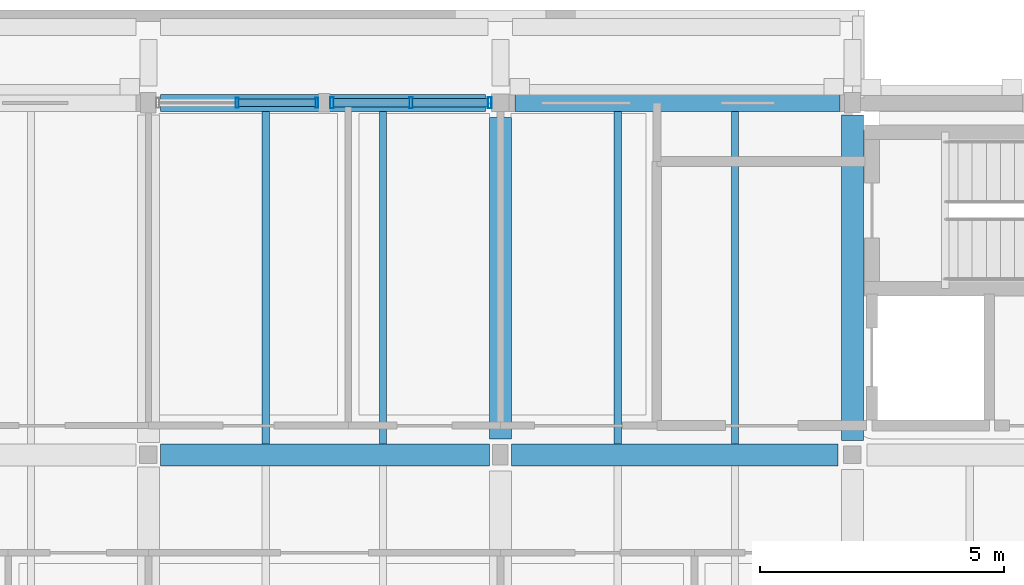
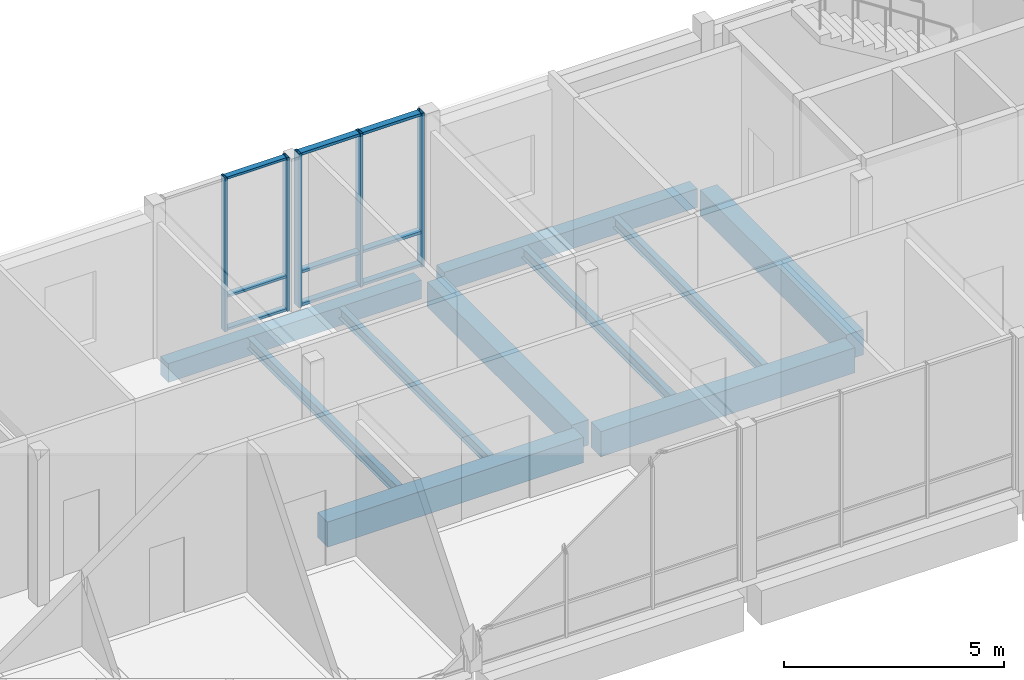
# One storey, part 53 of 146: 14 members, 10 beams, 2 elements without a shape of their own.
"""IFC4 building model written with IfcOpenShell, lengths in metres."""

import ifcopenshell
import ifcopenshell.guid

model = None  # the IFC model being written
_history = None  # IfcOwnerHistory: only IFC2X3 demands one
_inside = {}  # id of a spatial element -> (the spatial element, [elements in it])
_under = {}  # id of a project, library or spatial element -> (it, [spatial elements below it])
_declared = {}  # id of a project -> (the project, [libraries it declares])
_typed = {}  # id of a type object -> (the type object, [elements of that type])
_made_of = {}  # id of a material, layer set ... -> (it, [elements and type objects made of it])


def new_model(schema):
    """Start an empty IFC model of exactly this schema.

    Asked for "IFC4X3", IfcOpenShell would pick the latest addendum, in which some entities
    have other attributes; the version numbers below select the first issue.
    IFC2X3 requires an IfcOwnerHistory on every rooted entity: one is made here for all.
    """
    global model, _history
    if schema == "IFC4X3":
        model = ifcopenshell.file(schema_version=(4, 3, 0, 0))
    else:
        model = ifcopenshell.file(schema=schema)
    _inside.clear()
    _under.clear()
    _declared.clear()
    _typed.clear()
    _made_of.clear()
    _history = None
    if model.schema == "IFC2X3":
        org = make("IfcOrganization", Name="unknown")
        user = make(
            "IfcPersonAndOrganization",
            ThePerson=make("IfcPerson", FamilyName="unknown"),
            TheOrganization=org,
        )
        app = make(
            "IfcApplication",
            ApplicationDeveloper=org,
            Version="unknown",
            ApplicationFullName="unknown",
            ApplicationIdentifier="unknown",
        )
        _history = make(
            "IfcOwnerHistory",
            OwningUser=user,
            OwningApplication=app,
            ChangeAction="ADDED",
            CreationDate=0,
        )
    return model


def make(cls, **values):
    """One entity of the class cls with the attributes given. An attribute that is None is left unset."""
    return model.create_entity(
        cls, **{name: value for name, value in values.items() if value is not None}
    )


def rooted(cls, **values):
    """An entity with a GlobalId (a new one), such as an element, a storey or a relation."""
    return make(cls, GlobalId=ifcopenshell.guid.new(), OwnerHistory=_history, **values)


def si_unit(unit_type, name, prefix=None):
    """IfcSIUnit, for example si_unit("LENGTHUNIT", "METRE", prefix="MILLI")."""
    return make("IfcSIUnit", UnitType=unit_type, Prefix=prefix, Name=name)


def assignment(units):
    """IfcUnitAssignment: the units of a project."""
    return None if units is None else make("IfcUnitAssignment", Units=units)


def point(xyz):
    """IfcCartesianPoint."""
    return None if xyz is None else make("IfcCartesianPoint", Coordinates=xyz)


def direction(xyz):
    """IfcDirection."""
    return None if xyz is None else make("IfcDirection", DirectionRatios=xyz)


def frame(location, z_axis=None, x_axis=None):
    """IfcAxis2Placement3D, a coordinate frame: its origin and axes. An axis left out is left unset."""
    return make(
        "IfcAxis2Placement3D",
        Location=point(location),
        Axis=direction(z_axis),
        RefDirection=direction(x_axis),
    )


def frame_2d(location, x_axis=None):
    """IfcAxis2Placement2D, a coordinate frame in the plane: its origin and x axis."""
    return make(
        "IfcAxis2Placement2D", Location=point(location), RefDirection=direction(x_axis)
    )


def origin():
    """The frame at (0, 0, 0) with its axes left unset."""
    return frame((0.0, 0.0, 0.0))


def origin_2d():
    """The frame at (0, 0) in the plane with its x axis left unset."""
    return frame_2d((0.0, 0.0))


def place(relative_to, where):
    """IfcLocalPlacement: puts the frame where relative to a parent placement (None: the world)."""
    return make(
        "IfcLocalPlacement", PlacementRelTo=relative_to, RelativePlacement=where
    )


def context(
    kind, dimensions, precision=None, world=None, true_north=None, identifier=None
):
    """IfcGeometricRepresentationContext, for example the 3D "Model" context."""
    return make(
        "IfcGeometricRepresentationContext",
        ContextIdentifier=identifier,
        ContextType=kind,
        CoordinateSpaceDimension=dimensions,
        Precision=precision,
        WorldCoordinateSystem=world,
        TrueNorth=true_north,
    )


def subcontext(parent, identifier, kind, view, scale=None):
    """IfcGeometricRepresentationSubContext, for example "Body" below "Model"."""
    return make(
        "IfcGeometricRepresentationSubContext",
        ContextIdentifier=identifier,
        ContextType=kind,
        ParentContext=parent,
        TargetScale=scale,
        TargetView=view,
    )


def project(units=None, contexts=None):
    """IfcProject with its units and contexts."""
    return rooted(
        "IfcProject",
        Name="project",
        RepresentationContexts=contexts,
        UnitsInContext=assignment(units),
    )


def spatial(cls, under=None, at=None, **own):
    """A site, building, storey or space (cls), placed at a placement, below another one or the project."""
    s = rooted(cls, ObjectPlacement=at, **own)
    if under is not None:
        _under.setdefault(under.id(), (under, []))[1].append(s)
    return s


def profile(cls, at=None, kind="AREA", **sizes):
    """A parametric profile (cls). Its sizes go by their IFC names, for example OverallWidth=200.0."""
    return make(cls, ProfileType=kind, Position=at, **sizes)


def rectangle(**sizes):
    """IfcRectangleProfileDef."""
    return profile("IfcRectangleProfileDef", **sizes)


def hollow_rectangle(**sizes):
    """IfcRectangleHollowProfileDef."""
    return profile("IfcRectangleHollowProfileDef", **sizes)


def i_section(**sizes):
    """IfcIShapeProfileDef."""
    return profile("IfcIShapeProfileDef", **sizes)


def extrude(swept, where, along, depth):
    """IfcExtrudedAreaSolid: the profile swept, set in the frame where, extruded along a direction by depth."""
    return make(
        "IfcExtrudedAreaSolid",
        SweptArea=swept,
        Position=where,
        ExtrudedDirection=direction(along),
        Depth=depth,
    )


def shape(context_of_items, identifier, shape_type, items):
    """IfcShapeRepresentation: the items that make up one representation, for example the "Body"."""
    return make(
        "IfcShapeRepresentation",
        ContextOfItems=context_of_items,
        RepresentationIdentifier=identifier,
        RepresentationType=shape_type,
        Items=items,
    )


def material(Name=None, Category=None):
    """IfcMaterial."""
    return make("IfcMaterial", Name=Name, Category=Category)


def material_profile(
    of_material, cross_section, Name=None, Category=None, Priority=None
):
    """IfcMaterialProfile: a cross section and its material."""
    return make(
        "IfcMaterialProfile",
        Name=Name,
        Material=of_material,
        Profile=cross_section,
        Priority=Priority,
        Category=Category,
    )


def profile_set(profiles, Name=None, composite=None):
    """IfcMaterialProfileSet."""
    return make(
        "IfcMaterialProfileSet",
        Name=Name,
        MaterialProfiles=profiles,
        CompositeProfile=composite,
    )


def made_of(thing, what):
    """Note that an element or type object is made of a material, layer set ...; save() writes the relation."""
    if what is not None:
        _made_of.setdefault(what.id(), (what, []))[1].append(thing)
    return thing


def type_object(cls, material=None, **own):
    """A type object (cls), such as IfcWallType, which elements share."""
    return made_of(rooted(cls, **own), material)


def element(
    cls,
    number,
    at=None,
    inside=None,
    cuts=None,
    type_object=None,
    material=None,
    context=None,
    identifier="Body",
    shape_type=None,
    held_by="IfcProductDefinitionShape",
    body=None,
    shapes=None,
    **own,
):
    """One element of the class cls, such as IfcWall. Its Tag is "e" and its number.

    at: its placement. inside: the storey or other place that contains it. cuts: it is an
    opening in that element (IfcRelVoidsElement). A single representation is given by context,
    identifier, shape_type and body (its items); several are given by shapes. held_by: the class
    of the entity that holds the representations. save() writes the other relations.
    """
    e = rooted(cls, Tag="e%d" % number, ObjectPlacement=at, **own)
    if body is not None:
        shapes = [shape(context, identifier, shape_type, body)]
    if shapes is not None:
        e.Representation = make(held_by, Representations=shapes)
    if inside is not None:
        _inside.setdefault(inside.id(), (inside, []))[1].append(e)
    if cuts is not None:
        rooted(
            "IfcRelVoidsElement", RelatingBuildingElement=cuts, RelatedOpeningElement=e
        )
    if type_object is not None:
        _typed.setdefault(type_object.id(), (type_object, []))[1].append(e)
    return made_of(e, material)


def aggregate(whole, parts):
    """IfcRelAggregates: a whole, such as a stair, and the parts it consists of."""
    return rooted("IfcRelAggregates", RelatingObject=whole, RelatedObjects=parts)


def save(model, path):
    """Write the relations noted so far, then the file.

    IfcRelAggregates (storeys below a building ...), IfcRelContainedInSpatialStructure (elements
    in a storey), IfcRelDefinesByType, IfcRelAssociatesMaterial and IfcRelDeclares: one each for
    every whole, place, type object, material and project.
    """
    for whole, parts in _under.values():
        aggregate(whole, parts)
    for where, things in _inside.values():
        rooted(
            "IfcRelContainedInSpatialStructure",
            RelatedElements=things,
            RelatingStructure=where,
        )
    for kind, things in _typed.values():
        rooted("IfcRelDefinesByType", RelatedObjects=things, RelatingType=kind)
    for what, things in _made_of.values():
        rooted("IfcRelAssociatesMaterial", RelatedObjects=things, RelatingMaterial=what)
    for by, libraries in _declared.values():
        rooted("IfcRelDeclares", RelatingContext=by, RelatedDefinitions=libraries)
    model.write(path)


model = new_model("IFC4")

# Units and contexts
model_context = context("Model", 3, precision=1e-05, world=origin(), true_north=direction((0.0, 1.0)))
body_context = subcontext(model_context, "Body", "Model", "MODEL_VIEW")
ifc_project = project(units=[si_unit("LENGTHUNIT", "METRE"), si_unit("AREAUNIT", "SQUARE_METRE"), si_unit("VOLUMEUNIT", "CUBIC_METRE"), si_unit("PLANEANGLEUNIT", "RADIAN"), si_unit("MASSUNIT", "GRAM", prefix="KILO")], contexts=[model_context])

# Site, building, storey
site_placement = place(None, origin())
site = spatial("IfcSite", under=ifc_project, at=site_placement, CompositionType="ELEMENT")
building_placement = place(site_placement, origin())
building = spatial("IfcBuilding", under=site, at=building_placement, Name="Hawrajan Terrace Health Centre", CompositionType="ELEMENT")
storey_placement = place(building_placement, frame((0.0, 0.0, 4.5)))
storey = spatial("IfcBuildingStorey", under=building, at=storey_placement, Name="L01", CompositionType="ELEMENT", Elevation=4.5)

# Curtain wall, members
ifc_material_1 = material(Name="Anodized bronze aluminium and low-E solar glazing", Category="aluminium")
curtain_wall_type_1 = type_object("IfcCurtainWallType", Name="CW_Vestibule_SeriesH1", PredefinedType="USERDEFINED", material=ifc_material_1)
curtain_wall_1_placement = place(storey_placement, origin())
curtain_wall_1 = element("IfcCurtainWall", 1, at=curtain_wall_1_placement, inside=storey, type_object=curtain_wall_type_1, Name="Curtain wall CW-L01-067", ObjectType="UNITISED CURTAIN WALL", PredefinedType="USERDEFINED")
ifc_material_2 = material(Name="Anodized bronze aluminium 6063-T6", Category="aluminium")
ifc_material_profile_1 = material_profile(ifc_material_2, hollow_rectangle(XDim=0.06494140625, YDim=0.199951171875, WallThickness=0.00439453125, at=origin_2d()), Name="CW MUL 65x200")
ifc_profile_set_1 = profile_set([ifc_material_profile_1], Name="Anodized bronze aluminium 6063-T6")
member_type_1 = type_object("IfcMemberType", Name="CWMullion_65x200", PredefinedType="MULLION", material=ifc_profile_set_1)
member_1_placement = place(storey_placement, frame((35.219970703125, 59.800048828125, -0.0048828125), z_axis=(0.0, 0.0, 1.0), x_axis=(1.0, 0.0, 0.0)))
member_1 = element("IfcMember", 2, at=member_1_placement, type_object=member_type_1, Name="Mullion CW-L01-067-M2", PredefinedType="MULLION", context=body_context, shape_type="SweptSolid", body=[
    extrude(hollow_rectangle(XDim=0.06494140625, YDim=0.199951171875, WallThickness=0.00439453125, at=origin_2d()), origin(), (0.0, 0.0, 1.0), 4.269775390625),
])
member_2_placement = place(storey_placement, frame((36.847412109375, 59.800048828125, -0.0048828125), z_axis=(0.0, 0.0, 1.0), x_axis=(1.0, 0.0, 0.0)))
member_2 = element("IfcMember", 3, at=member_2_placement, type_object=member_type_1, Name="Mullion CW-L01-067-M3", PredefinedType="MULLION", context=body_context, shape_type="SweptSolid", body=[
    extrude(hollow_rectangle(XDim=0.06494140625, YDim=0.199951171875, WallThickness=0.00439453125, at=origin_2d()), origin(), (0.0, 0.0, 1.0), 4.269775390625),
])

curtain_wall_type_2 = type_object("IfcCurtainWallType", Name="CW_Bridge_SeriesJ1", PredefinedType="USERDEFINED", material=ifc_material_1)
curtain_wall_2_placement = place(storey_placement, origin())
curtain_wall_2 = element("IfcCurtainWall", 4, at=curtain_wall_2_placement, inside=storey, type_object=curtain_wall_type_2, Name="Curtain wall CW-L01-068", ObjectType="UNITISED CURTAIN WALL", PredefinedType="USERDEFINED")
ifc_material_profile_2 = material_profile(ifc_material_2, hollow_rectangle(XDim=0.074951171875, YDim=0.219970703125, WallThickness=0.0048828125, at=origin_2d()), Name="CW MUL 75x220")
ifc_profile_set_2 = profile_set([ifc_material_profile_2], Name="Anodized bronze aluminium 6063-T6")
member_type_2 = type_object("IfcMemberType", Name="CWMullion_75x220", PredefinedType="MULLION", material=ifc_profile_set_2)
member_3_placement = place(storey_placement, frame((37.157470703125, 59.800048828125, -0.0048828125), z_axis=(0.0, 0.0, 1.0), x_axis=(1.0, 0.0, 0.0)))
member_3 = element("IfcMember", 5, at=member_3_placement, type_object=member_type_2, Name="Mullion CW-L01-068-M1", PredefinedType="MULLION", context=body_context, shape_type="SweptSolid", body=[
    extrude(hollow_rectangle(XDim=0.074951171875, YDim=0.219970703125, WallThickness=0.0048828125, at=origin_2d()), origin(), (0.0, 0.0, 1.0), 4.269775390625),
])
member_4_placement = place(storey_placement, frame((38.77001953125, 59.800048828125, -0.0048828125), z_axis=(0.0, 0.0, 1.0), x_axis=(1.0, 0.0, 0.0)))
member_4 = element("IfcMember", 6, at=member_4_placement, type_object=member_type_2, Name="Mullion CW-L01-068-M2", PredefinedType="MULLION", context=body_context, shape_type="SweptSolid", body=[
    extrude(hollow_rectangle(XDim=0.074951171875, YDim=0.219970703125, WallThickness=0.0048828125, at=origin_2d()), origin(), (0.0, 0.0, 1.0), 4.269775390625),
])
member_5_placement = place(storey_placement, frame((40.382568359375, 59.800048828125, -0.0048828125), z_axis=(0.0, 0.0, 1.0), x_axis=(1.0, 0.0, 0.0)))
member_5 = element("IfcMember", 7, at=member_5_placement, type_object=member_type_2, Name="Mullion CW-L01-068-M3", PredefinedType="MULLION", context=body_context, shape_type="SweptSolid", body=[
    extrude(hollow_rectangle(XDim=0.074951171875, YDim=0.219970703125, WallThickness=0.0048828125, at=origin_2d()), origin(), (0.0, 0.0, 1.0), 4.269775390625),
])

# Member
ifc_material_profile_3 = material_profile(ifc_material_2, hollow_rectangle(XDim=0.06494140625, YDim=0.14990234375, WallThickness=0.00390625, at=origin_2d()), Name="CW TRN 65x150")
ifc_profile_set_3 = profile_set([ifc_material_profile_3], Name="Anodized bronze aluminium 6063-T6")
member_type_3 = type_object("IfcMemberType", Name="CWTransom_65x150", PredefinedType="USERDEFINED", material=ifc_profile_set_3)
member_6_placement = place(storey_placement, frame((35.24658203125, 59.800048828125, 0.032470703125), z_axis=(1.0, 0.0, 0.0), x_axis=(0.0, 0.0, 1.0)))
member_6 = element("IfcMember", 8, at=member_6_placement, type_object=member_type_3, Name="Transom CW-L01-067-T2-1", ObjectType="TRANSOM", PredefinedType="USERDEFINED", context=body_context, shape_type="SweptSolid", body=[
    extrude(hollow_rectangle(XDim=0.06494140625, YDim=0.14990234375, WallThickness=0.00390625, at=origin_2d()), origin(), (0.0, 0.0, 1.0), 1.574462890625),
])

member_7_placement = place(storey_placement, frame((35.24658203125, 59.800048828125, 0.949951171875), z_axis=(1.0, 0.0, 0.0), x_axis=(0.0, 0.0, 1.0)))
member_7 = element("IfcMember", 9, at=member_7_placement, type_object=member_type_3, Name="Transom CW-L01-067-T2-2", ObjectType="TRANSOM", PredefinedType="USERDEFINED", context=body_context, shape_type="SweptSolid", body=[
    extrude(hollow_rectangle(XDim=0.06494140625, YDim=0.14990234375, WallThickness=0.00390625, at=origin_2d()), origin(), (0.0, 0.0, 1.0), 1.574462890625),
])

member_8_placement = place(storey_placement, frame((35.24658203125, 59.800048828125, 4.2275390625), z_axis=(1.0, 0.0, 0.0), x_axis=(0.0, 0.0, 1.0)))
member_8 = element("IfcMember", 10, at=member_8_placement, type_object=member_type_3, Name="Transom CW-L01-067-T2-3", ObjectType="TRANSOM", PredefinedType="USERDEFINED", context=body_context, shape_type="SweptSolid", body=[
    extrude(hollow_rectangle(XDim=0.06494140625, YDim=0.14990234375, WallThickness=0.00390625, at=origin_2d()), origin(), (0.0, 0.0, 1.0), 1.574462890625),
])

aggregate(curtain_wall_1, [member_1, member_2, member_6, member_7, member_8])

ifc_material_profile_4 = material_profile(ifc_material_2, hollow_rectangle(XDim=0.074951171875, YDim=0.169921875, WallThickness=0.00439453125, at=origin_2d()), Name="CW TRN 75x170")
ifc_profile_set_4 = profile_set([ifc_material_profile_4], Name="Anodized bronze aluminium 6063-T6")
member_type_4 = type_object("IfcMemberType", Name="CWTransom_75x170", PredefinedType="USERDEFINED", material=ifc_profile_set_4)
member_9_placement = place(storey_placement, frame((37.18896484375, 59.800048828125, 0.03759765625), z_axis=(1.0, 0.0, 0.0), x_axis=(0.0, 0.0, 1.0)))
member_9 = element("IfcMember", 11, at=member_9_placement, type_object=member_type_4, Name="Transom CW-L01-068-T1-1", ObjectType="TRANSOM", PredefinedType="USERDEFINED", context=body_context, shape_type="SweptSolid", body=[
    extrude(hollow_rectangle(XDim=0.074951171875, YDim=0.169921875, WallThickness=0.00439453125, at=origin_2d()), origin(), (0.0, 0.0, 1.0), 1.549560546875),
])

member_10_placement = place(storey_placement, frame((37.18896484375, 59.800048828125, 0.949951171875), z_axis=(1.0, 0.0, 0.0), x_axis=(0.0, 0.0, 1.0)))
member_10 = element("IfcMember", 12, at=member_10_placement, type_object=member_type_4, Name="Transom CW-L01-068-T1-2", ObjectType="TRANSOM", PredefinedType="USERDEFINED", context=body_context, shape_type="SweptSolid", body=[
    extrude(hollow_rectangle(XDim=0.074951171875, YDim=0.169921875, WallThickness=0.00439453125, at=origin_2d()), origin(), (0.0, 0.0, 1.0), 1.549560546875),
])

member_11_placement = place(storey_placement, frame((37.18896484375, 59.800048828125, 4.222412109375), z_axis=(1.0, 0.0, 0.0), x_axis=(0.0, 0.0, 1.0)))
member_11 = element("IfcMember", 13, at=member_11_placement, type_object=member_type_4, Name="Transom CW-L01-068-T1-3", ObjectType="TRANSOM", PredefinedType="USERDEFINED", context=body_context, shape_type="SweptSolid", body=[
    extrude(hollow_rectangle(XDim=0.074951171875, YDim=0.169921875, WallThickness=0.00439453125, at=origin_2d()), origin(), (0.0, 0.0, 1.0), 1.549560546875),
])

member_12_placement = place(storey_placement, frame((38.801513671875, 59.800048828125, 0.03759765625), z_axis=(1.0, 0.0, 0.0), x_axis=(0.0, 0.0, 1.0)))
member_12 = element("IfcMember", 14, at=member_12_placement, type_object=member_type_4, Name="Transom CW-L01-068-T2-1", ObjectType="TRANSOM", PredefinedType="USERDEFINED", context=body_context, shape_type="SweptSolid", body=[
    extrude(hollow_rectangle(XDim=0.074951171875, YDim=0.169921875, WallThickness=0.00439453125, at=origin_2d()), origin(), (0.0, 0.0, 1.0), 1.549560546875),
])

member_13_placement = place(storey_placement, frame((38.801513671875, 59.800048828125, 0.949951171875), z_axis=(1.0, 0.0, 0.0), x_axis=(0.0, 0.0, 1.0)))
member_13 = element("IfcMember", 15, at=member_13_placement, type_object=member_type_4, Name="Transom CW-L01-068-T2-2", ObjectType="TRANSOM", PredefinedType="USERDEFINED", context=body_context, shape_type="SweptSolid", body=[
    extrude(hollow_rectangle(XDim=0.074951171875, YDim=0.169921875, WallThickness=0.00439453125, at=origin_2d()), origin(), (0.0, 0.0, 1.0), 1.549560546875),
])

member_14_placement = place(storey_placement, frame((38.801513671875, 59.800048828125, 4.222412109375), z_axis=(1.0, 0.0, 0.0), x_axis=(0.0, 0.0, 1.0)))
member_14 = element("IfcMember", 16, at=member_14_placement, type_object=member_type_4, Name="Transom CW-L01-068-T2-3", ObjectType="TRANSOM", PredefinedType="USERDEFINED", context=body_context, shape_type="SweptSolid", body=[
    extrude(hollow_rectangle(XDim=0.074951171875, YDim=0.169921875, WallThickness=0.00439453125, at=origin_2d()), origin(), (0.0, 0.0, 1.0), 1.549560546875),
])

aggregate(curtain_wall_2, [member_3, member_4, member_5, member_9, member_10, member_11, member_12, member_13, member_14])

# Beams
ifc_material_3 = material(Name="Concrete C40/50", Category="concrete")
ifc_material_profile_5 = material_profile(ifc_material_3, rectangle(XDim=0.449951171875, YDim=0.699951171875, at=origin_2d()), Name="RC BM 450x700")
ifc_profile_set_5 = profile_set([ifc_material_profile_5], Name="Concrete C40/50")
beam_type_1 = type_object("IfcBeamType", Name="RCGirder_450x700", PredefinedType="BEAM", material=ifc_profile_set_5)
beam_1_placement = place(storey_placement, frame((33.64990234375, 52.60009765625, -0.64990234375), z_axis=(1.0, 0.0, 0.0), x_axis=(0.0, 1.0, 0.0)))
element("IfcBeam", 17, at=beam_1_placement, inside=storey, type_object=beam_type_1, Name="Beam BM-X-L01-W-05-Y7", PredefinedType="BEAM", context=body_context, shape_type="SweptSolid", body=[
    extrude(rectangle(XDim=0.449951171875, YDim=0.699951171875, at=origin_2d()), origin(), (0.0, 0.0, 1.0), 6.72509765625),
])
beam_2_placement = place(storey_placement, frame((40.824951171875, 52.60009765625, -0.64990234375), z_axis=(1.0, 0.0, 0.0), x_axis=(0.0, 1.0, 0.0)))
element("IfcBeam", 18, at=beam_2_placement, inside=storey, type_object=beam_type_1, Name="Beam BM-X-L01-W-06-Y7", PredefinedType="BEAM", context=body_context, shape_type="SweptSolid", body=[
    extrude(rectangle(XDim=0.449951171875, YDim=0.699951171875, at=origin_2d()), origin(), (0.0, 0.0, 1.0), 6.675048828125),
])
beam_3_placement = place(storey_placement, frame((40.60009765625, 52.925048828125, -0.64990234375), z_axis=(0.0, 1.0, 0.0), x_axis=(-1.0, 0.0, 0.0)))
element("IfcBeam", 19, at=beam_3_placement, inside=storey, type_object=beam_type_1, Name="Beam BM-Y-L01-W-X06-7", PredefinedType="BEAM", context=body_context, shape_type="SweptSolid", body=[
    extrude(rectangle(XDim=0.449951171875, YDim=0.699951171875, at=origin_2d()), origin(), (0.0, 0.0, 1.0), 6.574951171875),
])
beam_4_placement = place(storey_placement, frame((47.800048828125, 52.89990234375, -0.64990234375), z_axis=(0.0, 1.0, 0.0), x_axis=(-1.0, 0.0, 0.0)))
element("IfcBeam", 20, at=beam_4_placement, inside=storey, type_object=beam_type_1, Name="Beam BM-Y-L01-W-X07-7", PredefinedType="BEAM", context=body_context, shape_type="SweptSolid", body=[
    extrude(rectangle(XDim=0.449951171875, YDim=0.699951171875, at=origin_2d()), origin(), (0.0, 0.0, 1.0), 6.650146484375),
])
ifc_material_profile_6 = material_profile(ifc_material_3, rectangle(XDim=0.35009765625, YDim=0.52001953125, at=origin_2d()), Name="RC SP 350x520")
ifc_profile_set_6 = profile_set([ifc_material_profile_6], Name="Concrete C40/50")
beam_type_2 = type_object("IfcBeamType", Name="RCSpandrel_350x520", PredefinedType="SPANDREL", material=ifc_profile_set_6)
for number, where, z_axis, x_axis, name in (
    (21, (33.64990234375, 59.800048828125, -0.56005859375), (1.0, 0.0, 0.0), (0.0, 1.0, 0.0), "Beam BM-X-L01-W-05-Y8"),
    (22, (40.89990234375, 59.800048828125, -0.56005859375), (1.0, 0.0, 0.0), (0.0, 1.0, 0.0), "Beam BM-X-L01-W-06-Y8"),
):
    element("IfcBeam", number, at=place(storey_placement, frame(where, z_axis=z_axis, x_axis=x_axis)), inside=storey, type_object=beam_type_2, Name=name, PredefinedType="SPANDREL", context=body_context, shape_type="SweptSolid", body=[
        extrude(rectangle(XDim=0.35009765625, YDim=0.52001953125, at=origin_2d()), origin(), (0.0, 0.0, 1.0), 6.650146484375),
    ])
ifc_material_4 = material(Name="Steel S355", Category="steel")
ifc_material_profile_7 = material_profile(ifc_material_4, i_section(OverallWidth=0.14990234375, OverallDepth=0.300048828125, WebThickness=0.007080078125, FlangeThickness=0.0107421875, FilletRadius=0.014892578125, at=origin_2d()), Name="IPE 300")
ifc_profile_set_7 = profile_set([ifc_material_profile_7], Name="Steel S355")
beam_type_3 = type_object("IfcBeamType", Name="SteelBeam_IPE300", PredefinedType="JOIST", material=ifc_profile_set_7)
for number, where, z_axis, x_axis, name in (
    (23, (35.800048828125, 52.824951171875, -0.449951171875), (0.0, 1.0, 0.0), (-1.0, 0.0, 0.0), "Secondary joist JST-L01-W-05-7-1"),
    (24, (38.199951171875, 52.824951171875, -0.449951171875), (0.0, 1.0, 0.0), (-1.0, 0.0, 0.0), "Secondary joist JST-L01-W-05-7-2"),
    (25, (43.0, 52.824951171875, -0.449951171875), (0.0, 1.0, 0.0), (-1.0, 0.0, 0.0), "Secondary joist JST-L01-W-06-7-1"),
    (26, (45.39990234375, 52.824951171875, -0.449951171875), (0.0, 1.0, 0.0), (-1.0, 0.0, 0.0), "Secondary joist JST-L01-W-06-7-2"),
):
    element("IfcBeam", number, at=place(storey_placement, frame(where, z_axis=z_axis, x_axis=x_axis)), inside=storey, type_object=beam_type_3, Name=name, PredefinedType="JOIST", context=body_context, shape_type="SweptSolid", body=[
        extrude(i_section(OverallWidth=0.14990234375, OverallDepth=0.300048828125, WebThickness=0.007080078125, FlangeThickness=0.0107421875, FilletRadius=0.014892578125, at=origin_2d()), origin(), (0.0, 0.0, 1.0), 6.800048828125),
    ])

save(model, "model.ifc")
